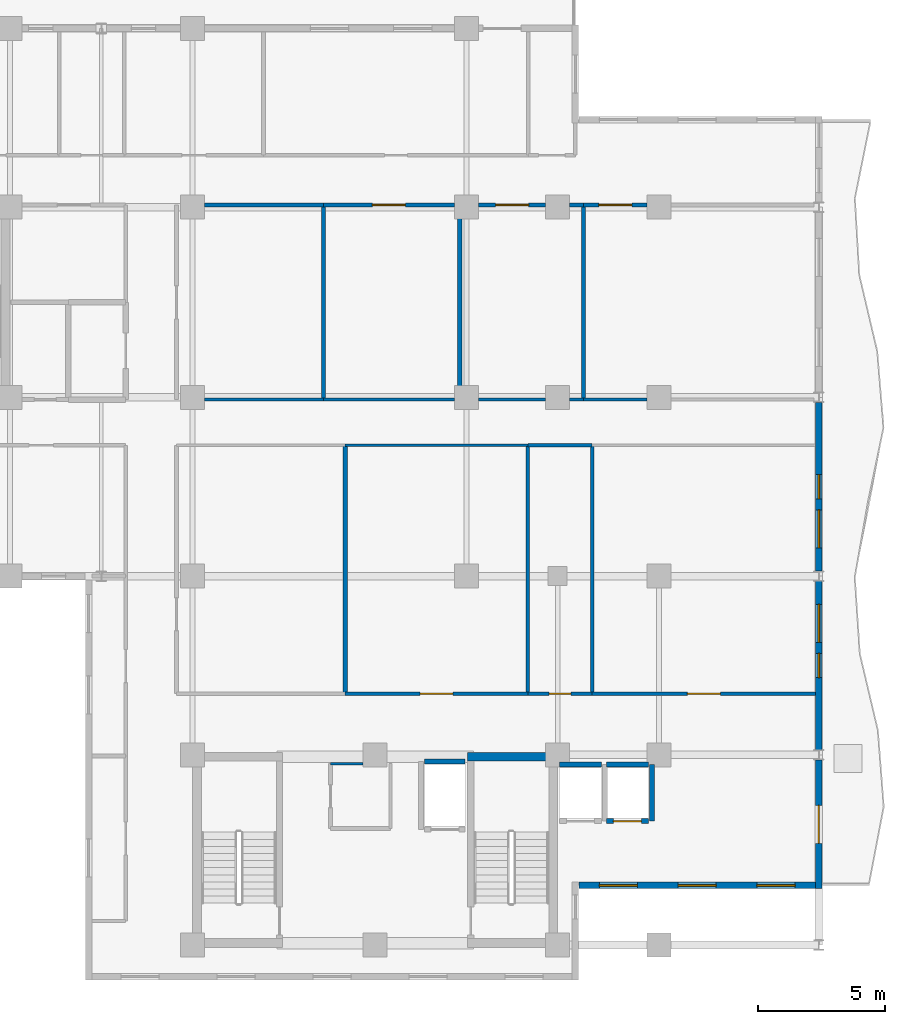
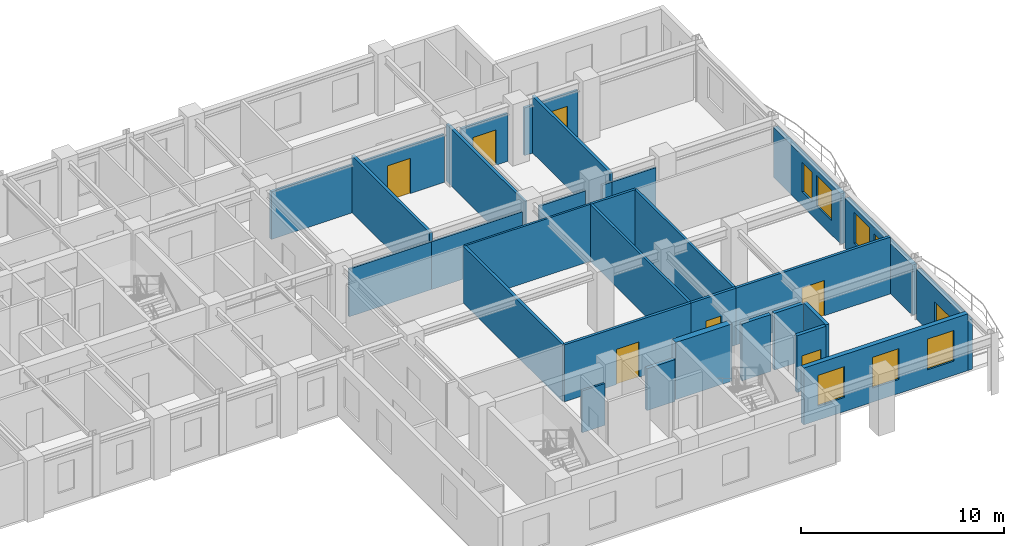
# One storey, part 15 of 20: 32 walls, 8 doors, 7 windows, 15 openings.
"""IFC4 building model written with IfcOpenShell, lengths in metres."""

from ifc_helpers import new_model, si_unit, direction, frame, frame_2d, origin, place, context, subcontext, project, spatial, rectangle, extrude, material, layer, layer_set, type_object, element, fill, save


model = new_model("IFC4")

# Units and contexts
model_context = context("Model", 3, precision=1e-05, world=origin(), true_north=direction((0.0, 1.0)))
body_context = subcontext(model_context, "Body", "Model", "MODEL_VIEW")
ifc_project = project(units=[si_unit("LENGTHUNIT", "METRE"), si_unit("AREAUNIT", "SQUARE_METRE"), si_unit("VOLUMEUNIT", "CUBIC_METRE"), si_unit("PLANEANGLEUNIT", "RADIAN"), si_unit("MASSUNIT", "GRAM", prefix="KILO")], contexts=[model_context])

# Site, building, storey
site_placement = place(None, origin())
site = spatial("IfcSite", under=ifc_project, at=site_placement, CompositionType="ELEMENT")
building_placement = place(site_placement, origin())
building = spatial("IfcBuilding", under=site, at=building_placement, Name="Kaliganga Portal Commons", CompositionType="ELEMENT")
storey_placement = place(building_placement, frame((0.0, 0.0, 231.39990234375)))
storey = spatial("IfcBuildingStorey", under=building, at=storey_placement, Name="L59", CompositionType="ELEMENT", Elevation=231.39990234375)

# Wall
ifc_material_1 = material(Name="Concrete C50/60", Category="concrete")
ifc_layer_1 = layer(ifc_material_1, 0.35009765625)
ifc_layer_set_1 = layer_set([ifc_layer_1], Name="Concrete C50/60")
wall_type_1 = type_object("IfcWallType", Name="WL-CORE-350", PredefinedType="SHEAR", material=ifc_layer_set_1)
wall_1_placement = place(storey_placement, frame((46.85009765625, 14.47509765625, 0.0), z_axis=(0.0, 0.0, 1.0), x_axis=(1.0, 0.0, 0.0)))
element("IfcWall", 1, at=wall_1_placement, inside=storey, type_object=wall_type_1, Name="Core B N-East Shear Wall L59", PredefinedType="SHEAR", context=body_context, shape_type="SweptSolid", body=[
    extrude(rectangle(XDim=3.199951171875, YDim=0.35009765625, at=frame_2d((1.60009765625, 0.0))), origin(), (0.0, 0.0, 1.0), 3.440185546875),
])

# Wall, openings, windows
ifc_material_2 = material(Name="Insulated Aluminium-Clad Spandrel Assembly", Category="aluminium")
ifc_layer_2 = layer(ifc_material_2, 0.260009765625)
ifc_layer_set_2 = layer_set([ifc_layer_2], Name="Insulated Aluminium-Clad Spandrel Assembly")
wall_type_2 = type_object("IfcWallType", Name="WL-EXT-SPAND-260", PredefinedType="STANDARD", material=ifc_layer_set_2)
wall_2_placement = place(storey_placement, frame((60.56494140625, 9.39990234375, 0.0), z_axis=(0.0, 0.0, 1.0), x_axis=(-1.0, 0.0, 0.0)))
wall_2 = element("IfcWall", 2, at=wall_2_placement, inside=storey, type_object=wall_type_2, Name="Exterior Envelope Wall L59 P1-E02-S1", PredefinedType="STANDARD", context=body_context, shape_type="SweptSolid", body=[
    extrude(rectangle(XDim=9.329833984375, YDim=0.260009765625, at=frame_2d((4.6650390625, 0.0))), origin(), (0.0, 0.0, 1.0), 3.420166015625),
])
opening_1_placement = place(wall_2_placement, frame((0.804931640625, 0.0, 0.85009765625)))
opening_1 = element("IfcOpeningElement", 3, at=opening_1_placement, cuts=wall_2, Name="Opening W-02", PredefinedType="OPENING", context=body_context, shape_type="SweptSolid", body=[
    extrude(rectangle(XDim=1.5, YDim=1.85009765625, at=frame_2d((0.75, 0.925048828125))), frame((0.0, 0.14013671875, 0.0), z_axis=(0.0, -1.0, 0.0), x_axis=(1.0, 0.0, 0.0)), (0.0, 0.0, 1.0), 0.280029296875),
])
opening_2_placement = place(wall_2_placement, frame((3.9150390625, 0.0, 0.85009765625)))
opening_2 = element("IfcOpeningElement", 4, at=opening_2_placement, cuts=wall_2, Name="Opening W-02", PredefinedType="OPENING", context=body_context, shape_type="SweptSolid", body=[
    extrude(rectangle(XDim=1.5, YDim=1.85009765625, at=frame_2d((0.75, 0.925048828125))), frame((0.0, 0.14013671875, 0.0), z_axis=(0.0, -1.0, 0.0), x_axis=(1.0, 0.0, 0.0)), (0.0, 0.0, 1.0), 0.280029296875),
])
opening_3_placement = place(wall_2_placement, frame((7.02490234375, 0.0, 0.85009765625)))
opening_3 = element("IfcOpeningElement", 5, at=opening_3_placement, cuts=wall_2, Name="Opening W-02", PredefinedType="OPENING", context=body_context, shape_type="SweptSolid", body=[
    extrude(rectangle(XDim=1.5, YDim=1.85009765625, at=frame_2d((0.75, 0.925048828125))), frame((0.0, 0.14013671875, 0.0), z_axis=(0.0, -1.0, 0.0), x_axis=(1.0, 0.0, 0.0)), (0.0, 0.0, 1.0), 0.280029296875),
])
ifc_material_3 = material(Name="Thermally Broken Aluminium and Low-E Double Glazing", Category="aluminium")
window_type_1 = type_object("IfcWindowType", Name="WIN-STD-1500", PartitioningType="DOUBLE_PANEL_VERTICAL", PredefinedType="WINDOW", material=ifc_material_3)
window_1_placement = place(opening_1_placement, origin())
window_1 = element("IfcWindow", 6, at=window_1_placement, inside=storey, type_object=window_type_1, Name="Facade Window L59-P1E02S1-00", OverallHeight=1.85009765625, OverallWidth=1.5, PartitioningType="SINGLE_PANEL", PredefinedType="WINDOW", context=body_context, shape_type="SweptSolid", body=[
    extrude(rectangle(XDim=1.5, YDim=1.85009765625, at=frame_2d((0.75, 0.925048828125))), frame((0.0, 0.030029296875, 0.0), z_axis=(0.0, -1.0, 0.0), x_axis=(1.0, 0.0, 0.0)), (0.0, 0.0, 1.0), 0.06005859375),
])
fill(opening_1, window_1)
window_2_placement = place(opening_2_placement, origin())
window_2 = element("IfcWindow", 7, at=window_2_placement, inside=storey, type_object=window_type_1, Name="Facade Window L59-P1E02S1-01", OverallHeight=1.85009765625, OverallWidth=1.5, PartitioningType="SINGLE_PANEL", PredefinedType="WINDOW", context=body_context, shape_type="SweptSolid", body=[
    extrude(rectangle(XDim=1.5, YDim=1.85009765625, at=frame_2d((0.75, 0.925048828125))), frame((0.0, 0.030029296875, 0.0), z_axis=(0.0, -1.0, 0.0), x_axis=(1.0, 0.0, 0.0)), (0.0, 0.0, 1.0), 0.06005859375),
])
fill(opening_2, window_2)
window_3_placement = place(opening_3_placement, origin())
window_3 = element("IfcWindow", 8, at=window_3_placement, inside=storey, type_object=window_type_1, Name="Facade Window L59-P1E02S1-02", OverallHeight=1.85009765625, OverallWidth=1.5, PartitioningType="SINGLE_PANEL", PredefinedType="WINDOW", context=body_context, shape_type="SweptSolid", body=[
    extrude(rectangle(XDim=1.5, YDim=1.85009765625, at=frame_2d((0.75, 0.925048828125))), frame((0.0, 0.030029296875, 0.0), z_axis=(0.0, -1.0, 0.0), x_axis=(1.0, 0.0, 0.0)), (0.0, 0.0, 1.0), 0.06005859375),
])
fill(opening_3, window_3)

# Wall, opening, door
wall_3_placement = place(storey_placement, frame((60.699951171875, 14.34912109375, 0.0), z_axis=(0.0, 0.0, 1.0), x_axis=(0.0, -1.0, 0.0)))
wall_3 = element("IfcWall", 9, at=wall_3_placement, inside=storey, type_object=wall_type_2, Name="Exterior Envelope Wall L59 P1-E03-S1", PredefinedType="STANDARD", context=body_context, shape_type="SweptSolid", body=[
    extrude(rectangle(XDim=5.0791015625, YDim=0.260009765625, at=frame_2d((2.53955078125, 0.0))), origin(), (0.0, 0.0, 1.0), 3.02001953125),
])
opening_4_placement = place(wall_3_placement, frame((1.7900390625, 0.0, 0.0)))
opening_4 = element("IfcOpeningElement", 10, at=opening_4_placement, cuts=wall_3, Name="Opening BD-01", PredefinedType="OPENING", context=body_context, shape_type="SweptSolid", body=[
    extrude(rectangle(XDim=1.5, YDim=2.14990234375, at=frame_2d((0.75, 1.074951171875))), frame((0.0, 0.14013671875, 0.0), z_axis=(0.0, -1.0, 0.0), x_axis=(1.0, 0.0, 0.0)), (0.0, 0.0, 1.0), 0.280029296875),
])
ifc_material_4 = material(Name="Anodized Aluminium and Laminated Safety Glass", Category="aluminium")
door_type_1 = type_object("IfcDoorType", Name="DR-BALC-1500", OperationType="SLIDING_TO_LEFT", PredefinedType="DOOR", material=ifc_material_4)
door_1_placement = place(opening_4_placement, origin())
door_1 = element("IfcDoor", 11, at=door_1_placement, inside=storey, type_object=door_type_1, Name="Balcony Sliding Door L59 balc_east", OperationType="SLIDING_TO_LEFT", OverallHeight=2.14990234375, OverallWidth=1.5, PredefinedType="DOOR", context=body_context, shape_type="SweptSolid", body=[
    extrude(rectangle(XDim=1.5, YDim=2.14990234375, at=frame_2d((0.75, 1.074951171875))), frame((0.0, 0.02490234375, 0.0), z_axis=(0.0, -1.0, 0.0), x_axis=(1.0, 0.0, 0.0)), (0.0, 0.0, 1.0), 0.050048828125),
])
fill(opening_4, door_1)

# Wall, openings, windows
wall_4_placement = place(storey_placement, frame((60.699951171875, 21.39892578125, 0.0), z_axis=(0.0, 0.0, 1.0), x_axis=(0.0, -1.0, 0.0)))
wall_4 = element("IfcWall", 12, at=wall_4_placement, inside=storey, type_object=wall_type_2, Name="Exterior Envelope Wall L59 P1-E03-S2", PredefinedType="STANDARD", context=body_context, shape_type="SweptSolid", body=[
    extrude(rectangle(XDim=6.64794921875, YDim=0.260009765625, at=frame_2d((3.323974609375, 0.0))), origin(), (0.0, 0.0, 1.0), 3.02001953125),
])
opening_5_placement = place(wall_4_placement, frame((0.912109375, 0.0, 0.85009765625)))
opening_5 = element("IfcOpeningElement", 13, at=opening_5_placement, cuts=wall_4, Name="Opening W-02", PredefinedType="OPENING", context=body_context, shape_type="SweptSolid", body=[
    extrude(rectangle(XDim=1.5, YDim=1.85009765625, at=frame_2d((0.75, 0.925048828125))), frame((0.0, 0.14013671875, 0.0), z_axis=(0.0, -1.0, 0.0), x_axis=(1.0, 0.0, 0.0)), (0.0, 0.0, 1.0), 0.280029296875),
])
opening_6_placement = place(wall_4_placement, frame((2.84912109375, 0.0, 0.85009765625)))
opening_6 = element("IfcOpeningElement", 14, at=opening_6_placement, cuts=wall_4, Name="Opening W-04", PredefinedType="OPENING", context=body_context, shape_type="SweptSolid", body=[
    extrude(rectangle(XDim=0.949951171875, YDim=1.75, at=frame_2d((0.47509765625, 0.875))), frame((0.0, 0.14013671875, 0.0), z_axis=(0.0, -1.0, 0.0), x_axis=(1.0, 0.0, 0.0)), (0.0, 0.0, 1.0), 0.280029296875),
])
window_type_2 = type_object("IfcWindowType", Name="WIN-NARROW-950", PartitioningType="SINGLE_PANEL", PredefinedType="WINDOW", material=ifc_material_3)
window_4_placement = place(opening_6_placement, origin())
window_4 = element("IfcWindow", 15, at=window_4_placement, inside=storey, type_object=window_type_2, Name="Facade Window L59-P1E03S2-N0", OverallHeight=1.75, OverallWidth=0.949951171875, PartitioningType="SINGLE_PANEL", PredefinedType="WINDOW", context=body_context, shape_type="SweptSolid", body=[
    extrude(rectangle(XDim=0.949951171875, YDim=1.75, at=frame_2d((0.47509765625, 0.875))), frame((0.0, 0.030029296875, 0.0), z_axis=(0.0, -1.0, 0.0), x_axis=(1.0, 0.0, 0.0)), (0.0, 0.0, 1.0), 0.06005859375),
])
fill(opening_6, window_4)
window_5_placement = place(opening_5_placement, origin())
window_5 = element("IfcWindow", 16, at=window_5_placement, inside=storey, type_object=window_type_1, Name="Facade Window L59-P1E03S2-00", OverallHeight=1.85009765625, OverallWidth=1.5, PartitioningType="SINGLE_PANEL", PredefinedType="WINDOW", context=body_context, shape_type="SweptSolid", body=[
    extrude(rectangle(XDim=1.5, YDim=1.85009765625, at=frame_2d((0.75, 0.925048828125))), frame((0.0, 0.030029296875, 0.0), z_axis=(0.0, -1.0, 0.0), x_axis=(1.0, 0.0, 0.0)), (0.0, 0.0, 1.0), 0.06005859375),
])
fill(opening_5, window_5)

wall_5_placement = place(storey_placement, frame((60.699951171875, 28.448974609375, 0.0), z_axis=(0.0, 0.0, 1.0), x_axis=(0.0, -1.0, 0.0)))
wall_5 = element("IfcWall", 17, at=wall_5_placement, inside=storey, type_object=wall_type_2, Name="Exterior Envelope Wall L59 P1-E03-S3", PredefinedType="STANDARD", context=body_context, shape_type="SweptSolid", body=[
    extrude(rectangle(XDim=6.64794921875, YDim=0.260009765625, at=frame_2d((3.323974609375, 0.0))), origin(), (0.0, 0.0, 1.0), 3.02001953125),
])
opening_7_placement = place(wall_5_placement, frame((4.236083984375, 0.0, 0.85009765625)))
opening_7 = element("IfcOpeningElement", 18, at=opening_7_placement, cuts=wall_5, Name="Opening W-02", PredefinedType="OPENING", context=body_context, shape_type="SweptSolid", body=[
    extrude(rectangle(XDim=1.5, YDim=1.85009765625, at=frame_2d((0.75, 0.925048828125))), frame((0.0, 0.14013671875, 0.0), z_axis=(0.0, -1.0, 0.0), x_axis=(1.0, 0.0, 0.0)), (0.0, 0.0, 1.0), 0.280029296875),
])
opening_8_placement = place(wall_5_placement, frame((2.84912109375, 0.0, 0.85009765625)))
opening_8 = element("IfcOpeningElement", 19, at=opening_8_placement, cuts=wall_5, Name="Opening W-04", PredefinedType="OPENING", context=body_context, shape_type="SweptSolid", body=[
    extrude(rectangle(XDim=0.949951171875, YDim=1.75, at=frame_2d((0.47509765625, 0.875))), frame((0.0, 0.14013671875, 0.0), z_axis=(0.0, -1.0, 0.0), x_axis=(1.0, 0.0, 0.0)), (0.0, 0.0, 1.0), 0.280029296875),
])
window_6_placement = place(opening_8_placement, origin())
window_6 = element("IfcWindow", 20, at=window_6_placement, inside=storey, type_object=window_type_2, Name="Facade Window L59-P1E03S3-N0", OverallHeight=1.75, OverallWidth=0.949951171875, PartitioningType="SINGLE_PANEL", PredefinedType="WINDOW", context=body_context, shape_type="SweptSolid", body=[
    extrude(rectangle(XDim=0.949951171875, YDim=1.75, at=frame_2d((0.47509765625, 0.875))), frame((0.0, 0.030029296875, 0.0), z_axis=(0.0, -1.0, 0.0), x_axis=(1.0, 0.0, 0.0)), (0.0, 0.0, 1.0), 0.06005859375),
])
fill(opening_8, window_6)
window_7_placement = place(opening_7_placement, origin())
window_7 = element("IfcWindow", 21, at=window_7_placement, inside=storey, type_object=window_type_1, Name="Facade Window L59-P1E03S3-01", OverallHeight=1.85009765625, OverallWidth=1.5, PartitioningType="SINGLE_PANEL", PredefinedType="WINDOW", context=body_context, shape_type="SweptSolid", body=[
    extrude(rectangle(XDim=1.5, YDim=1.85009765625, at=frame_2d((0.75, 0.925048828125))), frame((0.0, 0.030029296875, 0.0), z_axis=(0.0, -1.0, 0.0), x_axis=(1.0, 0.0, 0.0)), (0.0, 0.0, 1.0), 0.06005859375),
])
fill(opening_7, window_7)

# Wall, opening, door
ifc_material_5 = material(Name="Fire-Rated Gypsum Board on Steel Stud", Category="steel")
ifc_layer_3 = layer(ifc_material_5, 0.14990234375)
ifc_layer_set_3 = layer_set([ifc_layer_3], Name="Fire-Rated Gypsum Board on Steel Stud")
wall_type_3 = type_object("IfcWallType", Name="WL-PART-CORR-150", PredefinedType="PARTITIONING", material=ifc_layer_set_3)
wall_6_placement = place(storey_placement, frame((51.419921875, 36.239990234375, 0.0), z_axis=(0.0, 0.0, 1.0), x_axis=(1.0, 0.0, 0.0)))
wall_6 = element("IfcWall", 22, at=wall_6_placement, inside=storey, type_object=wall_type_3, Name="Interior Partition L59-003", PredefinedType="PARTITIONING", context=body_context, shape_type="SweptSolid", body=[
    extrude(rectangle(XDim=2.505126953125, YDim=0.14990234375, at=frame_2d((1.25244140625, 0.0))), origin(), (0.0, 0.0, 1.0), 2.8701171875),
])
opening_9_placement = place(wall_6_placement, frame((0.6025390625, 0.0, 0.0)))
opening_9 = element("IfcOpeningElement", 23, at=opening_9_placement, cuts=wall_6, Name="Opening RD-03", PredefinedType="OPENING", context=body_context, shape_type="SweptSolid", body=[
    extrude(rectangle(XDim=1.300048828125, YDim=2.1201171875, at=frame_2d((0.64990234375, 1.06005859375))), frame((0.0, 0.0849609375, 0.0), z_axis=(0.0, -1.0, 0.0), x_axis=(1.0, 0.0, 0.0)), (0.0, 0.0, 1.0), 0.169921875),
])
ifc_material_6 = material(Name="Glazed Timber Seminar Vision Door", Category="wood")
door_type_2 = type_object("IfcDoorType", Name="DR-STUDY-1300", OperationType="DOUBLE_DOOR_SINGLE_SWING", PredefinedType="DOOR", material=ifc_material_6)
door_2_placement = place(opening_9_placement, origin())
door_2 = element("IfcDoor", 24, at=door_2_placement, inside=storey, type_object=door_type_2, Name="Interior Door L59-BK04", OperationType="DOUBLE_DOOR_SINGLE_SWING", OverallHeight=2.1201171875, OverallWidth=1.300048828125, PredefinedType="DOOR", context=body_context, shape_type="SweptSolid", body=[
    extrude(rectangle(XDim=1.300048828125, YDim=2.1201171875, at=frame_2d((0.64990234375, 1.06005859375))), frame((0.0, 0.02490234375, 0.0), z_axis=(0.0, -1.0, 0.0), x_axis=(1.0, 0.0, 0.0)), (0.0, 0.0, 1.0), 0.050048828125),
])
fill(opening_9, door_2)

wall_7_placement = place(storey_placement, frame((51.760009765625, 16.9599609375, 0.0), z_axis=(0.0, 0.0, 1.0), x_axis=(1.0, 0.0, 0.0)))
wall_7 = element("IfcWall", 25, at=wall_7_placement, inside=storey, type_object=wall_type_3, Name="Interior Partition L59-005", PredefinedType="PARTITIONING", context=body_context, shape_type="SweptSolid", body=[
    extrude(rectangle(XDim=8.80810546875, YDim=0.14990234375, at=frame_2d((4.404052734375, 0.0))), origin(), (0.0, 0.0, 1.0), 3.420166015625),
])
opening_10_placement = place(wall_7_placement, frame((3.75390625, 0.0, 0.0)))
opening_10 = element("IfcOpeningElement", 26, at=opening_10_placement, cuts=wall_7, Name="Opening RD-03", PredefinedType="OPENING", context=body_context, shape_type="SweptSolid", body=[
    extrude(rectangle(XDim=1.300048828125, YDim=2.1201171875, at=frame_2d((0.64990234375, 1.06005859375))), frame((0.0, 0.0849609375, 0.0), z_axis=(0.0, -1.0, 0.0), x_axis=(1.0, 0.0, 0.0)), (0.0, 0.0, 1.0), 0.169921875),
])
door_3_placement = place(opening_10_placement, origin())
door_3 = element("IfcDoor", 27, at=door_3_placement, inside=storey, type_object=door_type_2, Name="Interior Door L59-BM04", OperationType="DOUBLE_DOOR_SINGLE_SWING", OverallHeight=2.1201171875, OverallWidth=1.300048828125, PredefinedType="DOOR", context=body_context, shape_type="SweptSolid", body=[
    extrude(rectangle(XDim=1.300048828125, YDim=2.1201171875, at=frame_2d((0.64990234375, 1.06005859375))), frame((0.0, 0.02490234375, 0.0), z_axis=(0.0, -1.0, 0.0), x_axis=(1.0, 0.0, 0.0)), (0.0, 0.0, 1.0), 0.050048828125),
])
fill(opening_10, door_3)

wall_8_placement = place(storey_placement, frame((42.02001953125, 16.9599609375, 0.0), z_axis=(0.0, 0.0, 1.0), x_axis=(1.0, 0.0, 0.0)))
wall_8 = element("IfcWall", 28, at=wall_8_placement, inside=storey, type_object=wall_type_3, Name="Interior Partition L59-007", PredefinedType="PARTITIONING", context=body_context, shape_type="SweptSolid", body=[
    extrude(rectangle(XDim=7.199951171875, YDim=0.14990234375, at=frame_2d((3.60009765625, 0.0))), origin(), (0.0, 0.0, 1.0), 3.420166015625),
])
opening_11_placement = place(wall_8_placement, frame((2.949951171875, 0.0, 0.0)))
opening_11 = element("IfcOpeningElement", 29, at=opening_11_placement, cuts=wall_8, Name="Opening RD-03", PredefinedType="OPENING", context=body_context, shape_type="SweptSolid", body=[
    extrude(rectangle(XDim=1.300048828125, YDim=2.1201171875, at=frame_2d((0.64990234375, 1.06005859375))), frame((0.0, 0.0849609375, 0.0), z_axis=(0.0, -1.0, 0.0), x_axis=(1.0, 0.0, 0.0)), (0.0, 0.0, 1.0), 0.169921875),
])
door_4_placement = place(opening_11_placement, origin())
door_4 = element("IfcDoor", 30, at=door_4_placement, inside=storey, type_object=door_type_2, Name="Interior Door L59-BM02", OperationType="DOUBLE_DOOR_SINGLE_SWING", OverallHeight=2.1201171875, OverallWidth=1.300048828125, PredefinedType="DOOR", context=body_context, shape_type="SweptSolid", body=[
    extrude(rectangle(XDim=1.300048828125, YDim=2.1201171875, at=frame_2d((0.64990234375, 1.06005859375))), frame((0.0, 0.02490234375, 0.0), z_axis=(0.0, -1.0, 0.0), x_axis=(1.0, 0.0, 0.0)), (0.0, 0.0, 1.0), 0.050048828125),
])
fill(opening_11, door_4)

# Wall
wall_9_placement = place(storey_placement, frame((36.47509765625, 36.239990234375, 0.0), z_axis=(0.0, 0.0, 1.0), x_axis=(1.0, 0.0, 0.0)))
element("IfcWall", 31, at=wall_9_placement, inside=storey, type_object=wall_type_3, Name="Interior Partition L59-014", PredefinedType="PARTITIONING", context=body_context, shape_type="SweptSolid", body=[
    extrude(rectangle(XDim=4.684814453125, YDim=0.14990234375, at=frame_2d((2.34228515625, 0.0))), origin(), (0.0, 0.0, 1.0), 2.8701171875),
])

# Wall, opening, door
wall_10_placement = place(storey_placement, frame((41.159912109375, 36.239990234375, 0.0), z_axis=(0.0, 0.0, 1.0), x_axis=(1.0, 0.0, 0.0)))
wall_10 = element("IfcWall", 32, at=wall_10_placement, inside=storey, type_object=wall_type_3, Name="Interior Partition L59-017", PredefinedType="PARTITIONING", context=body_context, shape_type="SweptSolid", body=[
    extrude(rectangle(XDim=5.1650390625, YDim=0.14990234375, at=frame_2d((2.58251953125, 0.0))), origin(), (0.0, 0.0, 1.0), 2.8701171875),
])
opening_12_placement = place(wall_10_placement, frame((1.9326171875, 0.0, 0.0)))
opening_12 = element("IfcOpeningElement", 33, at=opening_12_placement, cuts=wall_10, Name="Opening RD-03", PredefinedType="OPENING", context=body_context, shape_type="SweptSolid", body=[
    extrude(rectangle(XDim=1.300048828125, YDim=2.1201171875, at=frame_2d((0.64990234375, 1.06005859375))), frame((0.0, 0.0849609375, 0.0), z_axis=(0.0, -1.0, 0.0), x_axis=(1.0, 0.0, 0.0)), (0.0, 0.0, 1.0), 0.169921875),
])
door_5_placement = place(opening_12_placement, origin())
door_5 = element("IfcDoor", 34, at=door_5_placement, inside=storey, type_object=door_type_2, Name="Interior Door L59-BK02", OperationType="DOUBLE_DOOR_SINGLE_SWING", OverallHeight=2.1201171875, OverallWidth=1.300048828125, PredefinedType="DOOR", context=body_context, shape_type="SweptSolid", body=[
    extrude(rectangle(XDim=1.300048828125, YDim=2.1201171875, at=frame_2d((0.64990234375, 1.06005859375))), frame((0.0, 0.02490234375, 0.0), z_axis=(0.0, -1.0, 0.0), x_axis=(1.0, 0.0, 0.0)), (0.0, 0.0, 1.0), 0.050048828125),
])
fill(opening_12, door_5)

wall_11_placement = place(storey_placement, frame((47.27490234375, 36.239990234375, 0.0), z_axis=(0.0, 0.0, 1.0), x_axis=(1.0, 0.0, 0.0)))
wall_11 = element("IfcWall", 35, at=wall_11_placement, inside=storey, type_object=wall_type_3, Name="Interior Partition L59-020", PredefinedType="PARTITIONING", context=body_context, shape_type="SweptSolid", body=[
    extrude(rectangle(XDim=2.650146484375, YDim=0.14990234375, at=frame_2d((1.3251953125, 0.0))), origin(), (0.0, 0.0, 1.0), 2.8701171875),
])
opening_13_placement = place(wall_11_placement, frame((0.675048828125, 0.0, 0.0)))
opening_13 = element("IfcOpeningElement", 36, at=opening_13_placement, cuts=wall_11, Name="Opening RD-03", PredefinedType="OPENING", context=body_context, shape_type="SweptSolid", body=[
    extrude(rectangle(XDim=1.300048828125, YDim=2.1201171875, at=frame_2d((0.64990234375, 1.06005859375))), frame((0.0, 0.0849609375, 0.0), z_axis=(0.0, -1.0, 0.0), x_axis=(1.0, 0.0, 0.0)), (0.0, 0.0, 1.0), 0.169921875),
])
door_6_placement = place(opening_13_placement, origin())
door_6 = element("IfcDoor", 37, at=door_6_placement, inside=storey, type_object=door_type_2, Name="Interior Door L59-BK03", OperationType="DOUBLE_DOOR_SINGLE_SWING", OverallHeight=2.1201171875, OverallWidth=1.300048828125, PredefinedType="DOOR", context=body_context, shape_type="SweptSolid", body=[
    extrude(rectangle(XDim=1.300048828125, YDim=2.1201171875, at=frame_2d((0.64990234375, 1.06005859375))), frame((0.0, 0.02490234375, 0.0), z_axis=(0.0, -1.0, 0.0), x_axis=(1.0, 0.0, 0.0)), (0.0, 0.0, 1.0), 0.050048828125),
])
fill(opening_13, door_6)

# Wall
wall_12_placement = place(storey_placement, frame((50.875, 36.239990234375, 0.0), z_axis=(0.0, 0.0, 1.0), x_axis=(1.0, 0.0, 0.0)))
element("IfcWall", 38, at=wall_12_placement, inside=storey, type_object=wall_type_3, Name="Interior Partition L59-021", PredefinedType="PARTITIONING", context=body_context, shape_type="SweptSolid", body=[
    extrude(rectangle(XDim=0.544921875, YDim=0.14990234375, at=frame_2d((0.2724609375, 0.0))), origin(), (0.0, 0.0, 1.0), 2.8701171875),
])

# Wall, opening, door
wall_13_placement = place(storey_placement, frame((49.219970703125, 16.9599609375, 0.0), z_axis=(0.0, 0.0, 1.0), x_axis=(1.0, 0.0, 0.0)))
wall_13 = element("IfcWall", 39, at=wall_13_placement, inside=storey, type_object=wall_type_3, Name="Interior Partition L59-032", PredefinedType="PARTITIONING", context=body_context, shape_type="SweptSolid", body=[
    extrude(rectangle(XDim=2.5400390625, YDim=0.14990234375, at=frame_2d((1.27001953125, 0.0))), origin(), (0.0, 0.0, 1.0), 3.420166015625),
])
opening_14_placement = place(wall_13_placement, frame((0.844970703125, 0.0, 0.0)))
opening_14 = element("IfcOpeningElement", 40, at=opening_14_placement, cuts=wall_13, Name="Opening WD-01", PredefinedType="OPENING", context=body_context, shape_type="SweptSolid", body=[
    extrude(rectangle(XDim=0.85009765625, YDim=2.0400390625, at=frame_2d((0.425048828125, 1.02001953125))), frame((0.0, 0.0849609375, 0.0), z_axis=(0.0, -1.0, 0.0), x_axis=(1.0, 0.0, 0.0)), (0.0, 0.0, 1.0), 0.169921875),
])
ifc_material_7 = material(Name="Moisture-Resistant Laminate Timber Door", Category="wood")
door_type_3 = type_object("IfcDoorType", Name="DR-WET-850", OperationType="NOTDEFINED", PredefinedType="DOOR", material=ifc_material_7)
door_7_placement = place(opening_14_placement, origin())
door_7 = element("IfcDoor", 41, at=door_7_placement, inside=storey, type_object=door_type_3, Name="Interior Door L59-BM03", OperationType="SINGLE_SWING_LEFT", OverallHeight=2.0400390625, OverallWidth=0.85009765625, PredefinedType="DOOR", context=body_context, shape_type="SweptSolid", body=[
    extrude(rectangle(XDim=0.85009765625, YDim=2.0400390625, at=frame_2d((0.425048828125, 1.02001953125))), frame((0.0, 0.02490234375, 0.0), z_axis=(0.0, -1.0, 0.0), x_axis=(1.0, 0.0, 0.0)), (0.0, 0.0, 1.0), 0.050048828125),
])
fill(opening_14, door_7)

# Walls
ifc_material_8 = material(Name="Moisture-Resistant Gypsum Partition", Category="gypsum")
ifc_layer_4 = layer(ifc_material_8, 0.114990234375)
ifc_layer_set_4 = layer_set([ifc_layer_4], Name="Moisture-Resistant Gypsum Partition")
wall_type_4 = type_object("IfcWallType", Name="WL-PART-ROOM-115", PredefinedType="PARTITIONING", material=ifc_layer_set_4)
wall_14_placement = place(storey_placement, frame((51.419921875, 28.56005859375, 0.0), z_axis=(0.0, 0.0, 1.0), x_axis=(1.0, 0.0, 0.0)))
element("IfcWall", 42, at=wall_14_placement, inside=storey, type_object=wall_type_4, Name="Interior Partition L59-048", PredefinedType="PARTITIONING", context=body_context, shape_type="SweptSolid", body=[
    extrude(rectangle(XDim=2.505126953125, YDim=0.114990234375, at=frame_2d((1.25244140625, 0.0))), origin(), (0.0, 0.0, 1.0), 2.8701171875),
])
wall_15_placement = place(storey_placement, frame((42.02001953125, 26.760009765625, 0.0), z_axis=(0.0, 0.0, 1.0), x_axis=(1.0, 0.0, 0.0)))
element("IfcWall", 43, at=wall_15_placement, inside=storey, type_object=wall_type_4, Name="Interior Partition L59-054", PredefinedType="PARTITIONING", context=body_context, shape_type="SweptSolid", body=[
    extrude(rectangle(XDim=7.199951171875, YDim=0.114990234375, at=frame_2d((3.60009765625, 0.0))), origin(), (0.0, 0.0, 1.0), 3.420166015625),
])
wall_16_placement = place(storey_placement, frame((36.47509765625, 28.56005859375, 0.0), z_axis=(0.0, 0.0, 1.0), x_axis=(1.0, 0.0, 0.0)))
element("IfcWall", 44, at=wall_16_placement, inside=storey, type_object=wall_type_4, Name="Interior Partition L59-056", PredefinedType="PARTITIONING", context=body_context, shape_type="SweptSolid", body=[
    extrude(rectangle(XDim=4.684814453125, YDim=0.114990234375, at=frame_2d((2.34228515625, 0.0))), origin(), (0.0, 0.0, 1.0), 2.8701171875),
])
wall_17_placement = place(storey_placement, frame((41.159912109375, 28.56005859375, 0.0), z_axis=(0.0, 0.0, 1.0), x_axis=(1.0, 0.0, 0.0)))
element("IfcWall", 45, at=wall_17_placement, inside=storey, type_object=wall_type_4, Name="Interior Partition L59-057", PredefinedType="PARTITIONING", context=body_context, shape_type="SweptSolid", body=[
    extrude(rectangle(XDim=5.1650390625, YDim=0.114990234375, at=frame_2d((2.58251953125, 0.0))), origin(), (0.0, 0.0, 1.0), 2.8701171875),
])
wall_18_placement = place(storey_placement, frame((47.27490234375, 28.56005859375, 0.0), z_axis=(0.0, 0.0, 1.0), x_axis=(1.0, 0.0, 0.0)))
element("IfcWall", 46, at=wall_18_placement, inside=storey, type_object=wall_type_4, Name="Interior Partition L59-070", PredefinedType="PARTITIONING", context=body_context, shape_type="SweptSolid", body=[
    extrude(rectangle(XDim=2.650146484375, YDim=0.114990234375, at=frame_2d((1.3251953125, 0.0))), origin(), (0.0, 0.0, 1.0), 2.8701171875),
])
wall_19_placement = place(storey_placement, frame((50.875, 28.56005859375, 0.0), z_axis=(0.0, 0.0, 1.0), x_axis=(1.0, 0.0, 0.0)))
element("IfcWall", 47, at=wall_19_placement, inside=storey, type_object=wall_type_4, Name="Interior Partition L59-071", PredefinedType="PARTITIONING", context=body_context, shape_type="SweptSolid", body=[
    extrude(rectangle(XDim=0.544921875, YDim=0.114990234375, at=frame_2d((0.2724609375, 0.0))), origin(), (0.0, 0.0, 1.0), 2.8701171875),
])
wall_20_placement = place(storey_placement, frame((41.43994140625, 14.199951171875, 0.0), z_axis=(0.0, 0.0, 1.0), x_axis=(1.0, 0.0, 0.0)))
element("IfcWall", 48, at=wall_20_placement, inside=storey, type_object=wall_type_4, Name="Interior Partition L59-078", PredefinedType="PARTITIONING", context=body_context, shape_type="SweptSolid", body=[
    extrude(rectangle(XDim=1.28515625, YDim=0.114990234375, at=frame_2d((0.642578125, 0.0))), origin(), (0.0, 0.0, 1.0), 2.52001953125),
])
ifc_material_9 = material(Name="Twin-Stud Acoustic Gypsum Partition", Category="gypsum")
ifc_layer_5 = layer(ifc_material_9, 0.1650390625)
ifc_layer_set_5 = layer_set([ifc_layer_5], Name="Twin-Stud Acoustic Gypsum Partition")
wall_type_5 = type_object("IfcWallType", Name="WL-PART-UNIT-165", PredefinedType="PARTITIONING", material=ifc_layer_set_5)
wall_21_placement = place(storey_placement, frame((42.02001953125, 16.9599609375, 0.0), z_axis=(0.0, 0.0, 1.0), x_axis=(0.0, 1.0, 0.0)))
element("IfcWall", 49, at=wall_21_placement, inside=storey, type_object=wall_type_5, Name="Interior Partition L59-045", PredefinedType="PARTITIONING", context=body_context, shape_type="SweptSolid", body=[
    extrude(rectangle(XDim=9.800048828125, YDim=0.1650390625, at=frame_2d((4.89990234375, 0.0))), origin(), (0.0, 0.0, 1.0), 3.420166015625),
])
for number, where, z_axis, x_axis, name in (
    (50, (41.159912109375, 28.56005859375, 0.0), (0.0, 0.0, 1.0), (0.0, 1.0, 0.0), "Interior Partition L59-051"),
    (51, (46.5400390625, 28.56005859375, 0.0), (0.0, 0.0, 1.0), (0.0, 1.0, 0.0), "Interior Partition L59-052"),
    (52, (51.419921875, 28.56005859375, 0.0), (0.0, 0.0, 1.0), (0.0, 1.0, 0.0), "Interior Partition L59-053"),
):
    element("IfcWall", number, at=place(storey_placement, frame(where, z_axis=z_axis, x_axis=x_axis)), inside=storey, type_object=wall_type_5, Name=name, PredefinedType="PARTITIONING", context=body_context, shape_type="SweptSolid", body=[
        extrude(rectangle(XDim=7.679931640625, YDim=0.1650390625, at=frame_2d((3.83984375, 0.0))), origin(), (0.0, 0.0, 1.0), 3.420166015625),
    ])
ifc_material_10 = material(Name="Cement-Board Wet-Room Partition", Category="gypsum")
ifc_layer_6 = layer(ifc_material_10, 0.135009765625)
ifc_layer_set_6 = layer_set([ifc_layer_6], Name="Cement-Board Wet-Room Partition")
wall_type_6 = type_object("IfcWallType", Name="WL-PART-WET-135", PredefinedType="PARTITIONING", material=ifc_layer_set_6)
for number, where, z_axis, x_axis, name in (
    (53, (49.219970703125, 16.9599609375, 0.0), (0.0, 0.0, 1.0), (0.0, 1.0, 0.0), "Interior Partition L59-046"),
    (54, (51.760009765625, 16.9599609375, 0.0), (0.0, 0.0, 1.0), (0.0, 1.0, 0.0), "Interior Partition L59-047"),
):
    element("IfcWall", number, at=place(storey_placement, frame(where, z_axis=z_axis, x_axis=x_axis)), inside=storey, type_object=wall_type_6, Name=name, PredefinedType="PARTITIONING", context=body_context, shape_type="SweptSolid", body=[
        extrude(rectangle(XDim=9.800048828125, YDim=0.135009765625, at=frame_2d((4.89990234375, 0.0))), origin(), (0.0, 0.0, 1.0), 3.420166015625),
    ])
wall_22_placement = place(storey_placement, frame((49.219970703125, 26.760009765625, 0.0), z_axis=(0.0, 0.0, 1.0), x_axis=(1.0, 0.0, 0.0)))
element("IfcWall", 55, at=wall_22_placement, inside=storey, type_object=wall_type_6, Name="Interior Partition L59-077", PredefinedType="PARTITIONING", context=body_context, shape_type="SweptSolid", body=[
    extrude(rectangle(XDim=2.5400390625, YDim=0.135009765625, at=frame_2d((1.27001953125, 0.0))), origin(), (0.0, 0.0, 1.0), 3.420166015625),
])
ifc_material_11 = material(Name="Fire-Rated Shaftwall Masonry Assembly", Category="masonry")
ifc_layer_7 = layer(ifc_material_11, 0.199951171875)
ifc_layer_set_7 = layer_set([ifc_layer_7], Name="Fire-Rated Shaftwall Masonry Assembly")
wall_type_7 = type_object("IfcWallType", Name="WL-SHAFT-200", PredefinedType="PARTITIONING", material=ifc_layer_set_7)
wall_23_placement = place(storey_placement, frame((50.47509765625, 14.1650390625, 0.0), z_axis=(0.0, 0.0, 1.0), x_axis=(1.0, 0.0, 0.0)))
element("IfcWall", 56, at=wall_23_placement, inside=storey, type_object=wall_type_7, Name="Lift PL-B3 Hoistway Shaft Wall L59-N", PredefinedType="PARTITIONING", context=body_context, shape_type="SweptSolid", body=[
    extrude(rectangle(XDim=1.64990234375, YDim=0.199951171875, at=frame_2d((0.824951171875, 0.0))), origin(), (0.0, 0.0, 1.0), 3.420166015625),
])

# Wall, opening, door
wall_24_placement = place(storey_placement, frame((52.324951171875, 11.93505859375, 0.0), z_axis=(0.0, 0.0, 1.0), x_axis=(1.0, 0.0, 0.0)))
wall_24 = element("IfcWall", 57, at=wall_24_placement, inside=storey, type_object=wall_type_7, Name="Lift PL-B4 Hoistway Shaft Wall L59-S", PredefinedType="PARTITIONING", context=body_context, shape_type="SweptSolid", body=[
    extrude(rectangle(XDim=1.650146484375, YDim=0.199951171875, at=frame_2d((0.8251953125, 0.0))), origin(), (0.0, 0.0, 1.0), 3.420166015625),
])
opening_15_placement = place(wall_24_placement, frame((0.27490234375, 0.0, 0.0)))
opening_15 = element("IfcOpeningElement", 58, at=opening_15_placement, cuts=wall_24, Name="Opening LD-01", PredefinedType="OPENING", context=body_context, shape_type="SweptSolid", body=[
    extrude(rectangle(XDim=1.10009765625, YDim=2.1201171875, at=frame_2d((0.550048828125, 1.06005859375))), frame((0.0, 0.10986328125, 0.0), z_axis=(0.0, -1.0, 0.0), x_axis=(1.0, 0.0, 0.0)), (0.0, 0.0, 1.0), 0.219970703125),
])
ifc_material_12 = material(Name="Brushed Stainless Steel 316 Lift Landing Door", Category="steel")
door_type_4 = type_object("IfcDoorType", Name="DR-LIFT-1100", OperationType="SLIDING_TO_LEFT", PredefinedType="DOOR", material=ifc_material_12)
door_8_placement = place(opening_15_placement, origin())
door_8 = element("IfcDoor", 59, at=door_8_placement, inside=storey, type_object=door_type_4, Name="Lift PL-B4 Sliding Landing Door L59", OperationType="SLIDING_TO_LEFT", OverallHeight=2.1201171875, OverallWidth=1.10009765625, PredefinedType="DOOR", context=body_context, shape_type="SweptSolid", body=[
    extrude(rectangle(XDim=1.10009765625, YDim=2.1201171875, at=frame_2d((0.550048828125, 1.06005859375))), frame((0.0, 0.02490234375, 0.0), z_axis=(0.0, -1.0, 0.0), x_axis=(1.0, 0.0, 0.0)), (0.0, 0.0, 1.0), 0.050048828125),
])
fill(opening_15, door_8)

# Walls
wall_25_placement = place(storey_placement, frame((52.324951171875, 14.1650390625, 0.0), z_axis=(0.0, 0.0, 1.0), x_axis=(1.0, 0.0, 0.0)))
element("IfcWall", 60, at=wall_25_placement, inside=storey, type_object=wall_type_7, Name="Lift PL-B4 Hoistway Shaft Wall L59-N", PredefinedType="PARTITIONING", context=body_context, shape_type="SweptSolid", body=[
    extrude(rectangle(XDim=1.650146484375, YDim=0.199951171875, at=frame_2d((0.8251953125, 0.0))), origin(), (0.0, 0.0, 1.0), 3.420166015625),
])
wall_26_placement = place(storey_placement, frame((54.114990234375, 11.93505859375, 0.0), z_axis=(0.0, 0.0, 1.0), x_axis=(0.0, 1.0, 0.0)))
element("IfcWall", 61, at=wall_26_placement, inside=storey, type_object=wall_type_7, Name="Lift PL-B4 Hoistway Shaft Wall L59-E", PredefinedType="PARTITIONING", context=body_context, shape_type="SweptSolid", body=[
    extrude(rectangle(XDim=2.22998046875, YDim=0.199951171875, at=frame_2d((1.114990234375, 0.0))), origin(), (0.0, 0.0, 1.0), 3.420166015625),
])
wall_27_placement = place(storey_placement, frame((45.14990234375, 14.2900390625, 0.0), z_axis=(0.0, 0.0, 1.0), x_axis=(1.0, 0.0, 0.0)))
element("IfcWall", 62, at=wall_27_placement, inside=storey, type_object=wall_type_7, Name="Lift SL-B1 Hoistway Shaft Wall L59-N", PredefinedType="PARTITIONING", context=body_context, shape_type="SweptSolid", body=[
    extrude(rectangle(XDim=1.60009765625, YDim=0.199951171875, at=frame_2d((0.800048828125, 0.0))), origin(), (0.0, 0.0, 1.0), 2.52001953125),
])

save(model, "model.ifc")
